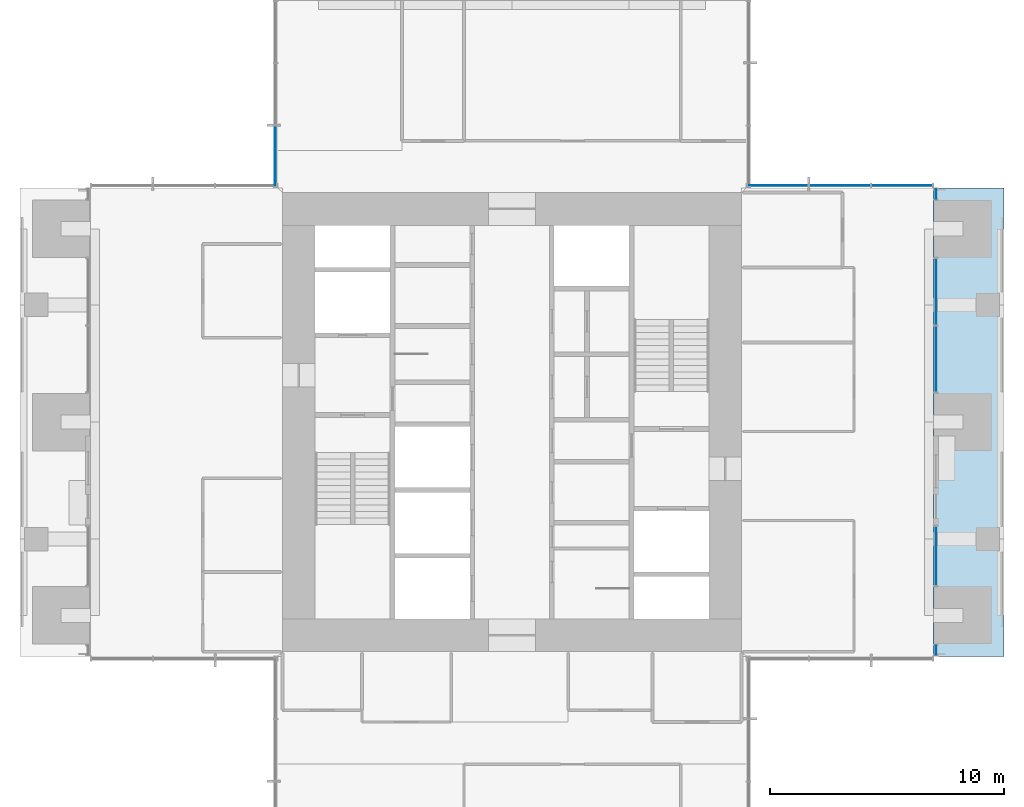
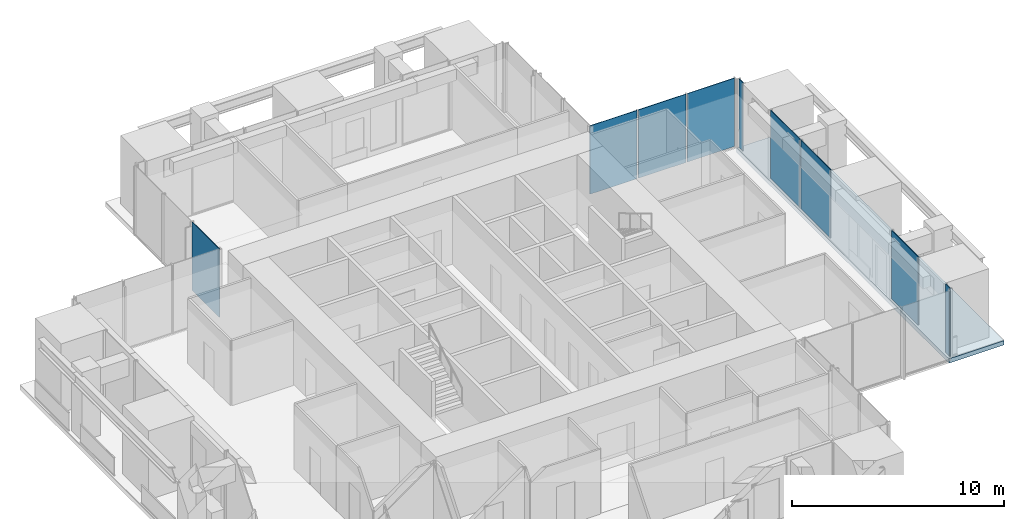
# One storey, part 10 of 17: 9 plates, 1 slab, 6 elements without a shape of their own.
"""IFC4 building model written with IfcOpenShell, lengths in metres."""

from ifc_helpers import new_model, si_unit, direction, frame, origin, origin_2d, place, context, subcontext, project, spatial, polyline, rectangle, outline, extrude, material, layer, layer_set, type_object, element, aggregate, save


model = new_model("IFC4")

# Units and contexts
model_context = context("Model", 3, precision=1e-05, world=origin(), true_north=direction((0.0, 1.0)))
body_context = subcontext(model_context, "Body", "Model", "MODEL_VIEW")
ifc_project = project(units=[si_unit("LENGTHUNIT", "METRE"), si_unit("AREAUNIT", "SQUARE_METRE"), si_unit("VOLUMEUNIT", "CUBIC_METRE"), si_unit("PLANEANGLEUNIT", "RADIAN"), si_unit("MASSUNIT", "GRAM", prefix="KILO")], contexts=[model_context])

# Site, building, storey
site_placement = place(None, origin())
site = spatial("IfcSite", under=ifc_project, at=site_placement, CompositionType="ELEMENT")
building_placement = place(site_placement, origin())
building = spatial("IfcBuilding", under=site, at=building_placement, Name="Svetlomir Tower", CompositionType="ELEMENT")
storey_placement = place(building_placement, frame((0.0, 0.0, 194.5)))
storey = spatial("IfcBuildingStorey", under=building, at=storey_placement, Name="L46", CompositionType="ELEMENT", Elevation=194.5)

# Curtain wall, plate
ifc_material_1 = material(Name="Bronze anodised aluminium curtain wall", Category="aluminium")
curtain_wall_type = type_object("IfcCurtainWallType", Name="CURTAIN WALL CW1 TOWER OFFICE", PredefinedType="NOTDEFINED", material=ifc_material_1)
curtain_wall_1_placement = place(storey_placement, origin())
curtain_wall_1 = element("IfcCurtainWall", 1, at=curtain_wall_1_placement, inside=storey, type_object=curtain_wall_type, Name="Curtain wall CW1 L46", PredefinedType="NOTDEFINED")
ifc_material_2 = material(Name="Tinted double glazed unit", Category="glass")
ifc_layer_1 = layer(ifc_material_2, 0.031982421875)
ifc_layer_set_1 = layer_set([ifc_layer_1], Name="Tinted double glazed unit")
plate_type = type_object("IfcPlateType", Name="CW1 GLAZED PANEL 32", PredefinedType="CURTAIN_PANEL", material=ifc_layer_set_1)
plate_1_placement = place(storey_placement, frame((39.10009765625, 11.262451171875, 0.06494140625), z_axis=(0.0, 0.0, 1.0), x_axis=(0.0, 1.0, 0.0)))
plate_1 = element("IfcPlate", 2, at=plate_1_placement, type_object=plate_type, Name="CW1 panel 1.1", PredefinedType="CURTAIN_PANEL", context=body_context, shape_type="SweptSolid", body=[
    extrude(rectangle(XDim=0.39501953125, YDim=0.031982421875, at=origin_2d()), origin(), (0.0, 0.0, 1.0), 3.93505859375),
])
aggregate(curtain_wall_1, [plate_1])

curtain_wall_2_placement = place(storey_placement, origin())
curtain_wall_2 = element("IfcCurtainWall", 3, at=curtain_wall_2_placement, inside=storey, type_object=curtain_wall_type, Name="Curtain wall CW1 L46", PredefinedType="NOTDEFINED")
plate_2_placement = place(storey_placement, frame((39.10009765625, 15.28759765625, 0.06494140625), z_axis=(0.0, 0.0, 1.0), x_axis=(0.0, 1.0, 0.0)))
plate_2 = element("IfcPlate", 4, at=plate_2_placement, type_object=plate_type, Name="CW1 panel 1.1", PredefinedType="CURTAIN_PANEL", context=body_context, shape_type="SweptSolid", body=[
    extrude(rectangle(XDim=2.4951171875, YDim=0.031982421875, at=origin_2d()), origin(), (0.0, 0.0, 1.0), 3.93505859375),
])
aggregate(curtain_wall_2, [plate_2])

# Curtain wall, plates
curtain_wall_3_placement = place(storey_placement, origin())
curtain_wall_3 = element("IfcCurtainWall", 5, at=curtain_wall_3_placement, inside=storey, type_object=curtain_wall_type, Name="Curtain wall CW1 L46", PredefinedType="NOTDEFINED")
plate_3_placement = place(storey_placement, frame((39.10009765625, 23.691162109375, 0.06494140625), z_axis=(0.0, 0.0, 1.0), x_axis=(0.0, 1.0, 0.0)))
plate_3 = element("IfcPlate", 6, at=plate_3_placement, type_object=plate_type, Name="CW1 panel 1.1", PredefinedType="CURTAIN_PANEL", context=body_context, shape_type="SweptSolid", body=[
    extrude(rectangle(XDim=2.802490234375, YDim=0.031982421875, at=origin_2d()), origin(), (0.0, 0.0, 1.0), 3.93505859375),
])
plate_4_placement = place(storey_placement, frame((39.10009765625, 26.558837890625, 0.06494140625), z_axis=(0.0, 0.0, 1.0), x_axis=(0.0, 1.0, 0.0)))
plate_4 = element("IfcPlate", 7, at=plate_4_placement, type_object=plate_type, Name="CW1 panel 2.1", PredefinedType="CURTAIN_PANEL", context=body_context, shape_type="SweptSolid", body=[
    extrude(rectangle(XDim=2.802490234375, YDim=0.031982421875, at=origin_2d()), origin(), (0.0, 0.0, 1.0), 3.93505859375),
])
aggregate(curtain_wall_3, [plate_3, plate_4])

# Curtain wall, plate
curtain_wall_4_placement = place(storey_placement, origin())
curtain_wall_4 = element("IfcCurtainWall", 8, at=curtain_wall_4_placement, inside=storey, type_object=curtain_wall_type, Name="Curtain wall CW1 L46", PredefinedType="NOTDEFINED")
plate_5_placement = place(storey_placement, frame((39.10009765625, 30.737548828125, 0.06494140625), z_axis=(0.0, 0.0, 1.0), x_axis=(0.0, 1.0, 0.0)))
plate_5 = element("IfcPlate", 9, at=plate_5_placement, type_object=plate_type, Name="CW1 panel 1.1", PredefinedType="CURTAIN_PANEL", context=body_context, shape_type="SweptSolid", body=[
    extrude(rectangle(XDim=0.39501953125, YDim=0.031982421875, at=origin_2d()), origin(), (0.0, 0.0, 1.0), 3.93505859375),
])
aggregate(curtain_wall_4, [plate_5])

# Curtain wall, plates
curtain_wall_5_placement = place(storey_placement, origin())
curtain_wall_5 = element("IfcCurtainWall", 10, at=curtain_wall_5_placement, inside=storey, type_object=curtain_wall_type, Name="Curtain wall CW1 L46", PredefinedType="NOTDEFINED")
plate_6_placement = place(storey_placement, frame((37.650390625, 31.10009765625, 0.06494140625), z_axis=(0.0, 0.0, 1.0), x_axis=(-1.0, 0.0, 0.0)))
plate_6 = element("IfcPlate", 11, at=plate_6_placement, type_object=plate_type, Name="CW1 panel 1.1", PredefinedType="CURTAIN_PANEL", context=body_context, shape_type="SweptSolid", body=[
    extrude(rectangle(XDim=2.569091796875, YDim=0.031982421875, at=origin_2d()), origin(), (0.0, 0.0, 1.0), 3.93505859375),
])
plate_7_placement = place(storey_placement, frame((35.0, 31.10009765625, 0.06494140625), z_axis=(0.0, 0.0, 1.0), x_axis=(-1.0, 0.0, 0.0)))
plate_7 = element("IfcPlate", 12, at=plate_7_placement, type_object=plate_type, Name="CW1 panel 2.1", PredefinedType="CURTAIN_PANEL", context=body_context, shape_type="SweptSolid", body=[
    extrude(rectangle(XDim=2.6015625, YDim=0.031982421875, at=origin_2d()), origin(), (0.0, 0.0, 1.0), 3.93505859375),
])
plate_8_placement = place(storey_placement, frame((32.349609375, 31.10009765625, 0.06494140625), z_axis=(0.0, 0.0, 1.0), x_axis=(-1.0, 0.0, 0.0)))
plate_8 = element("IfcPlate", 13, at=plate_8_placement, type_object=plate_type, Name="CW1 panel 3.1", PredefinedType="CURTAIN_PANEL", context=body_context, shape_type="SweptSolid", body=[
    extrude(rectangle(XDim=2.569091796875, YDim=0.031982421875, at=origin_2d()), origin(), (0.0, 0.0, 1.0), 3.93505859375),
])
aggregate(curtain_wall_5, [plate_6, plate_7, plate_8])

# Curtain wall, plate
curtain_wall_6_placement = place(storey_placement, origin())
curtain_wall_6 = element("IfcCurtainWall", 14, at=curtain_wall_6_placement, inside=storey, type_object=curtain_wall_type, Name="Curtain wall CW1 L46", PredefinedType="NOTDEFINED")
plate_9_placement = place(storey_placement, frame((10.89990234375, 32.349609375, 0.06494140625), z_axis=(0.0, 0.0, 1.0), x_axis=(0.0, -1.0, 0.0)))
plate_9 = element("IfcPlate", 15, at=plate_9_placement, type_object=plate_type, Name="CW1 panel 3.1", PredefinedType="CURTAIN_PANEL", context=body_context, shape_type="SweptSolid", body=[
    extrude(rectangle(XDim=2.569091796875, YDim=0.031982421875, at=origin_2d()), origin(), (0.0, 0.0, 1.0), 3.93505859375),
])
aggregate(curtain_wall_6, [plate_9])

# Slab
ifc_material_3 = material(Name="Concrete C60/75", Category="concrete")
ifc_layer_2 = layer(ifc_material_3, 0.25)
ifc_layer_set_2 = layer_set([ifc_layer_2], Name="Concrete C60/75")
slab_type = type_object("IfcSlabType", Name="PLANTED LOGGIA SLAB 250", PredefinedType="FLOOR", material=ifc_layer_set_2)
slab_placement = place(storey_placement, frame((0.0, 0.0, -0.25)))
element("IfcSlab", 16, at=slab_placement, inside=storey, type_object=slab_type, Name="L46 E planted loggia", PredefinedType="FLOOR", context=body_context, shape_type="SweptSolid", body=[
    extrude(outline(polyline([(39.0, 11.0), (42.0, 11.0), (42.0, 31.0), (39.0, 31.0), (39.0, 11.0)])), origin(), (0.0, 0.0, 1.0), 0.25),
])

save(model, "model.ifc")
